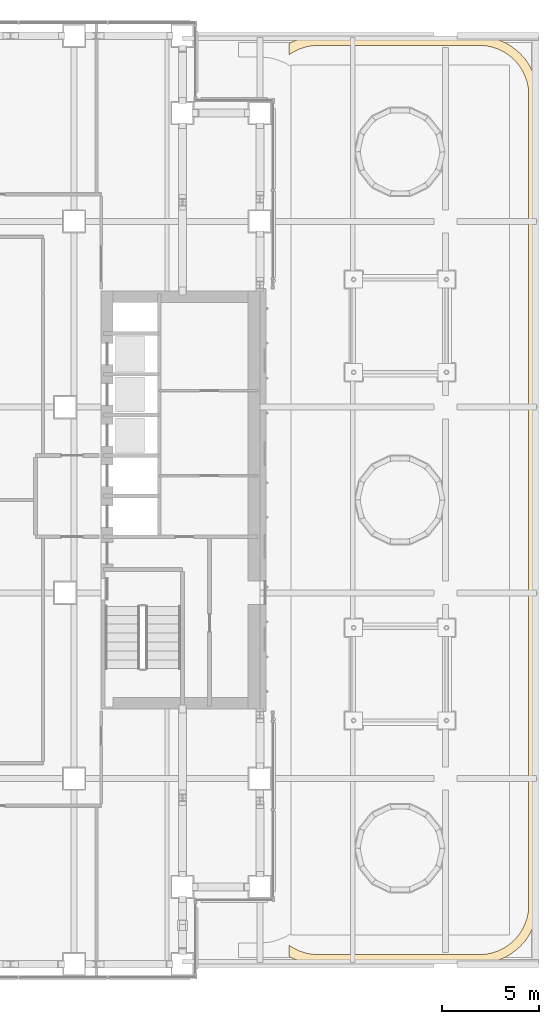
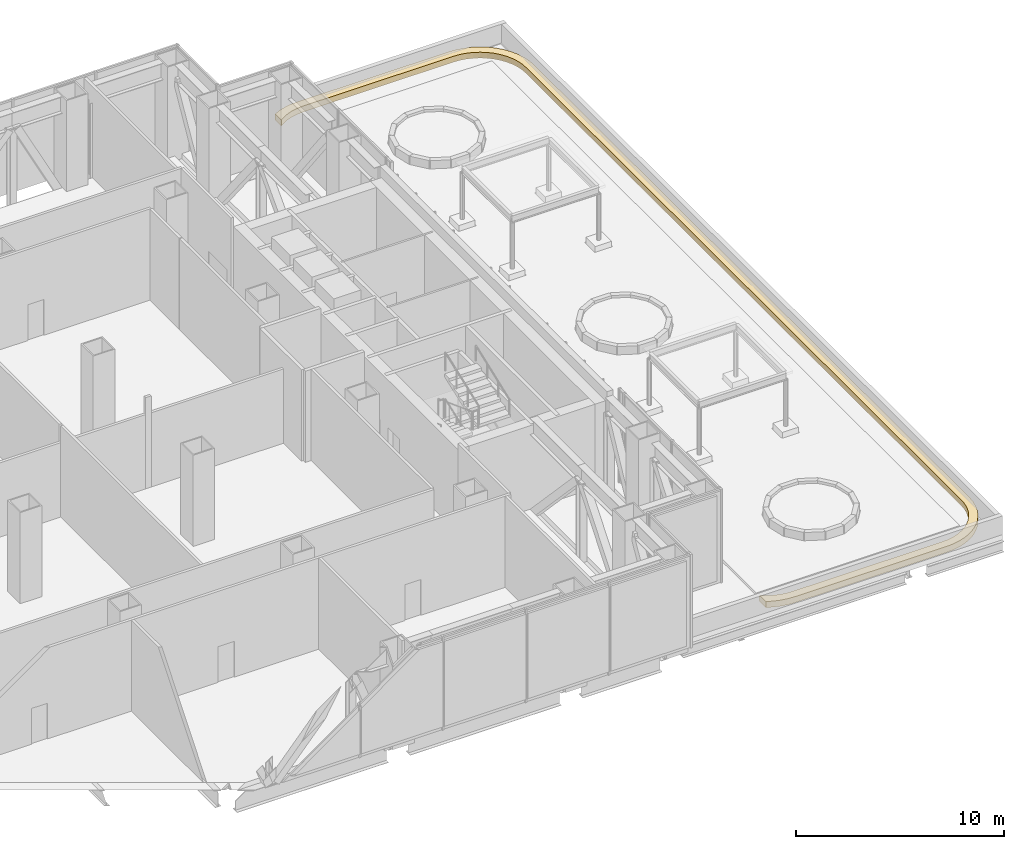
# One storey, part 38 of 39: 1 covering.
"""IFC4 building model written with IfcOpenShell, lengths in metres."""

from ifc_helpers import new_model, si_unit, direction, frame, origin, place, context, subcontext, project, spatial, polyline, outline, extrude, material, type_object, element, save


model = new_model("IFC4")

# Units and contexts
model_context = context("Model", 3, precision=1e-05, world=origin(), true_north=direction((0.0, 1.0)))
body_context = subcontext(model_context, "Body", "Model", "MODEL_VIEW")
ifc_project = project(units=[si_unit("LENGTHUNIT", "METRE"), si_unit("AREAUNIT", "SQUARE_METRE"), si_unit("VOLUMEUNIT", "CUBIC_METRE"), si_unit("PLANEANGLEUNIT", "RADIAN"), si_unit("MASSUNIT", "GRAM", prefix="KILO")], contexts=[model_context])

# Site, building, storey
site_placement = place(None, origin())
site = spatial("IfcSite", under=ifc_project, at=site_placement, CompositionType="ELEMENT")
building_placement = place(site_placement, origin())
building = spatial("IfcBuilding", under=site, at=building_placement, Name="Cobrizo Arcos Hotel Tower", CompositionType="ELEMENT")
storey_placement = place(building_placement, frame((0.0, 0.0, 33.5)))
storey = spatial("IfcBuildingStorey", under=building, at=storey_placement, Name="L06", CompositionType="ELEMENT", Elevation=33.5)

# Covering
ifc_material = material(Name="Aluminium 6063-T6 anodised pale", Category="aluminium")
covering_type = type_object("IfcCoveringType", Name="RC-4 rounded podium coping 450x350", PredefinedType="CLADDING", material=ifc_material)
covering_placement = place(storey_placement, origin())
element("IfcCovering", 1, at=covering_placement, inside=storey, type_object=covering_type, Name="Rounded podium roof coping 1", PredefinedType="CLADDING", context=body_context, shape_type="SweptSolid", body=[
    extrude(outline(polyline([(25.718994140625, 23.705322265625), (26.102294921875, 23.84033203125), (26.50048828125, 23.922607421875), (26.90576171875, 23.949951171875), (35.35009765625, 23.949951171875), (35.74169921875, 23.92431640625), (36.12646484375, 23.847900390625), (36.498046875, 23.7216796875), (36.85009765625, 23.548095703125), (37.17626953125, 23.330078125), (37.47119140625, 23.0712890625), (37.72998046875, 22.7763671875), (37.947998046875, 22.449951171875), (38.12158203125, 22.09814453125), (38.247802734375, 21.7265625), (38.32421875, 21.341552734375), (38.35009765625, 20.949951171875), (38.35009765625, -20.949951171875), (38.32421875, -21.341552734375), (38.247802734375, -21.7265625), (38.12158203125, -22.09814453125), (37.947998046875, -22.449951171875), (37.72998046875, -22.7763671875), (37.47119140625, -23.0712890625), (37.17626953125, -23.330078125), (36.85009765625, -23.548095703125), (36.498046875, -23.7216796875), (36.12646484375, -23.847900390625), (35.74169921875, -23.92431640625), (35.35009765625, -23.949951171875), (26.90576171875, -23.949951171875), (26.50048828125, -23.922607421875), (26.102294921875, -23.84033203125), (25.718994140625, -23.705322265625), (25.5, -23.5927734375), (25.5, -23.008544921875), (25.500244140625, -23.0087890625), (25.771484375, -23.181884765625), (26.062255859375, -23.3193359375), (26.367919921875, -23.419189453125), (26.683837890625, -23.479736328125), (27.0048828125, -23.5), (35.35009765625, -23.5), (35.682861328125, -23.478271484375), (36.010009765625, -23.4130859375), (36.32568359375, -23.305908203125), (36.625, -23.158447265625), (36.90234375, -22.97314453125), (37.153076171875, -22.753173828125), (37.373046875, -22.502197265625), (37.558349609375, -22.22509765625), (37.705810546875, -21.92578125), (37.81298828125, -21.610107421875), (37.878173828125, -21.28271484375), (37.89990234375, -20.949951171875), (37.89990234375, 20.949951171875), (37.878173828125, 21.28271484375), (37.81298828125, 21.610107421875), (37.705810546875, 21.92578125), (37.558349609375, 22.22509765625), (37.373046875, 22.502197265625), (37.153076171875, 22.753173828125), (36.90234375, 22.97314453125), (36.625, 23.158447265625), (36.32568359375, 23.305908203125), (36.010009765625, 23.4130859375), (35.682861328125, 23.478271484375), (35.35009765625, 23.5), (27.0048828125, 23.5), (26.683837890625, 23.479736328125), (26.367919921875, 23.419189453125), (26.062255859375, 23.3193359375), (25.771484375, 23.181884765625), (25.500244140625, 23.0087890625), (25.5, 23.008544921875), (25.5, 23.5927734375), (25.718994140625, 23.705322265625)])), origin(), (0.0, 0.0, 1.0), 0.35009765625),
])

save(model, "model.ifc")
